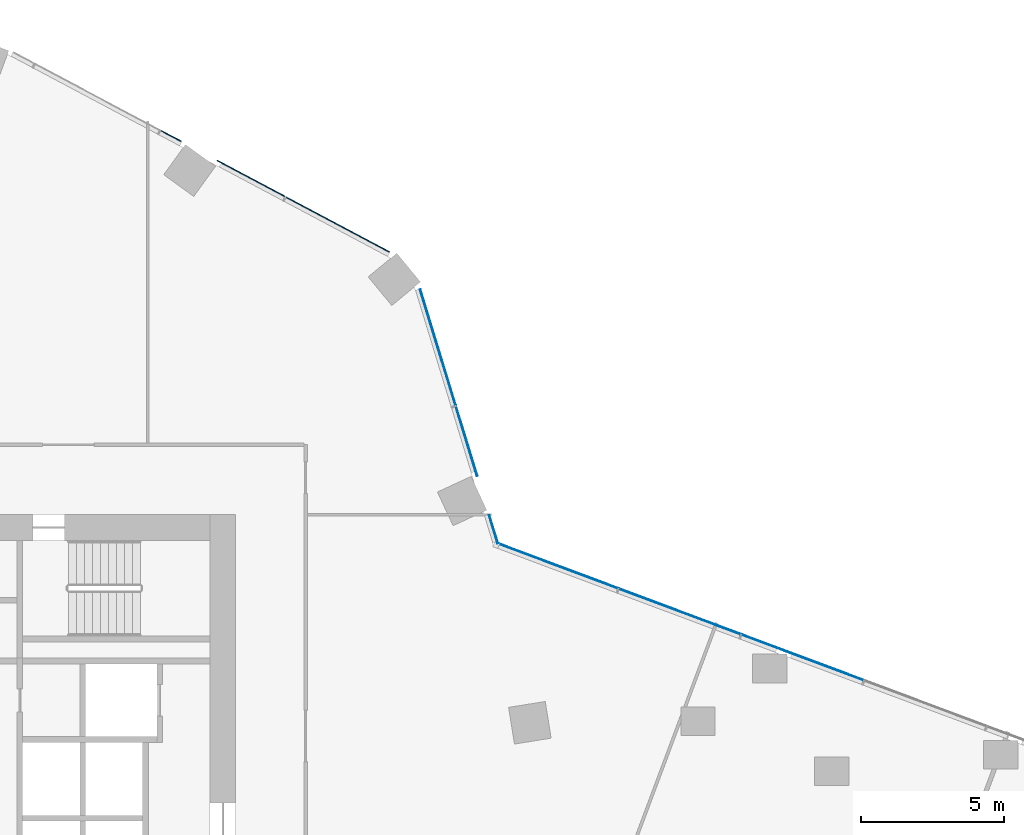
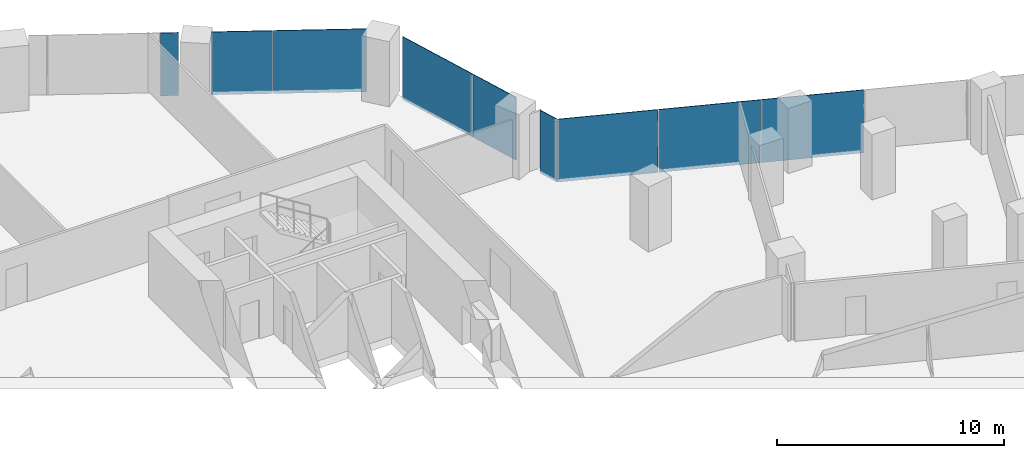
# One storey, part 22 of 31: 9 plates, 3 elements without a shape of their own.
"""IFC4 building model written with IfcOpenShell, lengths in metres."""

from ifc_helpers import new_model, si_unit, direction, frame, origin, origin_2d, place, context, subcontext, project, spatial, rectangle, extrude, material, layer, layer_set, type_object, element, aggregate, save


model = new_model("IFC4")

# Units and contexts
model_context = context("Model", 3, precision=1e-05, world=origin(), true_north=direction((0.0, 1.0)))
body_context = subcontext(model_context, "Body", "Model", "MODEL_VIEW")
ifc_project = project(units=[si_unit("LENGTHUNIT", "METRE"), si_unit("AREAUNIT", "SQUARE_METRE"), si_unit("VOLUMEUNIT", "CUBIC_METRE"), si_unit("PLANEANGLEUNIT", "RADIAN"), si_unit("MASSUNIT", "GRAM", prefix="KILO")], contexts=[model_context])

# Site, building, storey
site_placement = place(None, origin())
site = spatial("IfcSite", under=ifc_project, at=site_placement, CompositionType="ELEMENT")
building_placement = place(site_placement, origin())
building = spatial("IfcBuilding", under=site, at=building_placement, Name="Orlundy Tower", CompositionType="ELEMENT")
storey_placement = place(building_placement, frame((0.0, 0.0, 84.199951171875)))
storey = spatial("IfcBuildingStorey", under=building, at=storey_placement, Name="L20", CompositionType="ELEMENT", Elevation=84.199951171875)

# Curtain wall, plates
ifc_material_1 = material(Name="Aluminium bronze anodised", Category="aluminium")
curtain_wall_type = type_object("IfcCurtainWallType", Name="CW1 wall", PredefinedType="NOTDEFINED", material=ifc_material_1)
curtain_wall_1_placement = place(storey_placement, origin())
curtain_wall_1 = element("IfcCurtainWall", 1, at=curtain_wall_1_placement, inside=storey, type_object=curtain_wall_type, Name="CW1 run 04", PredefinedType="NOTDEFINED")
ifc_material_2 = material(Name="Tinted glass", Category="glass")
ifc_layer = layer(ifc_material_2, 0.031982421875)
ifc_layer_set = layer_set([ifc_layer], Name="CW1 glass panel 32")
plate_type = type_object("IfcPlateType", Name="CW1 glass panel 32", PredefinedType="CURTAIN_PANEL", material=ifc_layer_set)
plate_1_placement = place(storey_placement, frame((16.729248046875, 25.267822265625, -0.27978515625), z_axis=(0.0, 0.0, 1.0), x_axis=(0.882961465544, -0.469445471129, 0.0)))
plate_1 = element("IfcPlate", 2, at=plate_1_placement, type_object=plate_type, Name="CW1 panel", PredefinedType="CURTAIN_PANEL", context=body_context, shape_type="SweptSolid", body=[
    extrude(rectangle(XDim=0.796875, YDim=0.031982421875, at=origin_2d()), origin(), (0.0, 0.0, 1.0), 3.3798828125),
])
plate_2_placement = place(storey_placement, frame((19.534912109375, 23.776123046875, -0.27978515625), z_axis=(0.0, 0.0, 1.0), x_axis=(0.882961465544, -0.469445471129, 0.0)))
plate_2 = element("IfcPlate", 3, at=plate_2_placement, type_object=plate_type, Name="CW1 panel", PredefinedType="CURTAIN_PANEL", context=body_context, shape_type="SweptSolid", body=[
    extrude(rectangle(XDim=2.68896484375, YDim=0.031982421875, at=origin_2d()), origin(), (0.0, 0.0, 1.0), 3.3798828125),
])
plate_3_placement = place(storey_placement, frame((22.57373046875, 22.160400390625, -0.27978515625), z_axis=(0.0, 0.0, 1.0), x_axis=(0.882961465544, -0.469445471129, 0.0)))
plate_3 = element("IfcPlate", 4, at=plate_3_placement, type_object=plate_type, Name="CW1 panel", PredefinedType="CURTAIN_PANEL", context=body_context, shape_type="SweptSolid", body=[
    extrude(rectangle(XDim=4.09423828125, YDim=0.031982421875, at=origin_2d()), origin(), (0.0, 0.0, 1.0), 3.3798828125),
])
aggregate(curtain_wall_1, [plate_1, plate_2, plate_3])

curtain_wall_2_placement = place(storey_placement, origin())
curtain_wall_2 = element("IfcCurtainWall", 5, at=curtain_wall_2_placement, inside=storey, type_object=curtain_wall_type, Name="CW1 run 05", PredefinedType="NOTDEFINED")
plate_4_placement = place(storey_placement, frame((26.08203125, 17.859619140625, -0.27978515625), z_axis=(0.0, 0.0, 1.0), x_axis=(0.292362470314, -0.956307579156, 0.0)))
plate_4 = element("IfcPlate", 6, at=plate_4_placement, type_object=plate_type, Name="CW1 panel", PredefinedType="CURTAIN_PANEL", context=body_context, shape_type="SweptSolid", body=[
    extrude(rectangle(XDim=4.24072265625, YDim=0.031982421875, at=origin_2d()), origin(), (0.0, 0.0, 1.0), 3.3798828125),
])
plate_5_placement = place(storey_placement, frame((27.087646484375, 14.570068359375, -0.27978515625), z_axis=(0.0, 0.0, 1.0), x_axis=(0.292362470314, -0.956307579156, 0.0)))
plate_5 = element("IfcPlate", 7, at=plate_5_placement, type_object=plate_type, Name="CW1 panel", PredefinedType="CURTAIN_PANEL", context=body_context, shape_type="SweptSolid", body=[
    extrude(rectangle(XDim=2.53857421875, YDim=0.031982421875, at=origin_2d()), origin(), (0.0, 0.0, 1.0), 3.3798828125),
])
plate_6_placement = place(storey_placement, frame((28.03076171875, 11.48583984375, -0.27978515625), z_axis=(0.0, 0.0, 1.0), x_axis=(0.292362470314, -0.956307579156, 0.0)))
plate_6 = element("IfcPlate", 8, at=plate_6_placement, type_object=plate_type, Name="CW1 panel", PredefinedType="CURTAIN_PANEL", context=body_context, shape_type="SweptSolid", body=[
    extrude(rectangle(XDim=1.036376953125, YDim=0.031982421875, at=origin_2d()), origin(), (0.0, 0.0, 1.0), 3.3798828125),
])
aggregate(curtain_wall_2, [plate_4, plate_5, plate_6])

curtain_wall_3_placement = place(storey_placement, origin())
curtain_wall_3 = element("IfcCurtainWall", 9, at=curtain_wall_3_placement, inside=storey, type_object=curtain_wall_type, Name="CW1 run 06", PredefinedType="NOTDEFINED")
plate_7_placement = place(storey_placement, frame((30.28173828125, 10.205322265625, -0.27978515625), z_axis=(0.0, 0.0, 1.0), x_axis=(0.93667352363, -0.350203812273, 0.0)))
plate_7 = element("IfcPlate", 10, at=plate_7_placement, type_object=plate_type, Name="CW1 panel", PredefinedType="CURTAIN_PANEL", context=body_context, shape_type="SweptSolid", body=[
    extrude(rectangle(XDim=4.48291015625, YDim=0.031982421875, at=origin_2d()), origin(), (0.0, 0.0, 1.0), 3.3798828125),
])
plate_8_placement = place(storey_placement, frame((34.5537109375, 8.608154296875, -0.27978515625), z_axis=(0.0, 0.0, 1.0), x_axis=(0.93667352363, -0.350203812273, 0.0)))
plate_8 = element("IfcPlate", 11, at=plate_8_placement, type_object=plate_type, Name="CW1 panel", PredefinedType="CURTAIN_PANEL", context=body_context, shape_type="SweptSolid", body=[
    extrude(rectangle(XDim=4.538818359375, YDim=0.031982421875, at=origin_2d()), origin(), (0.0, 0.0, 1.0), 3.3798828125),
])
plate_9_placement = place(storey_placement, frame((38.851806640625, 7.001220703125, -0.27978515625), z_axis=(0.0, 0.0, 1.0), x_axis=(0.93667352363, -0.350203812273, 0.0)))
plate_9 = element("IfcPlate", 12, at=plate_9_placement, type_object=plate_type, Name="CW1 panel", PredefinedType="CURTAIN_PANEL", context=body_context, shape_type="SweptSolid", body=[
    extrude(rectangle(XDim=4.538818359375, YDim=0.031982421875, at=origin_2d()), origin(), (0.0, 0.0, 1.0), 3.3798828125),
])
aggregate(curtain_wall_3, [plate_7, plate_8, plate_9])

save(model, "model.ifc")
